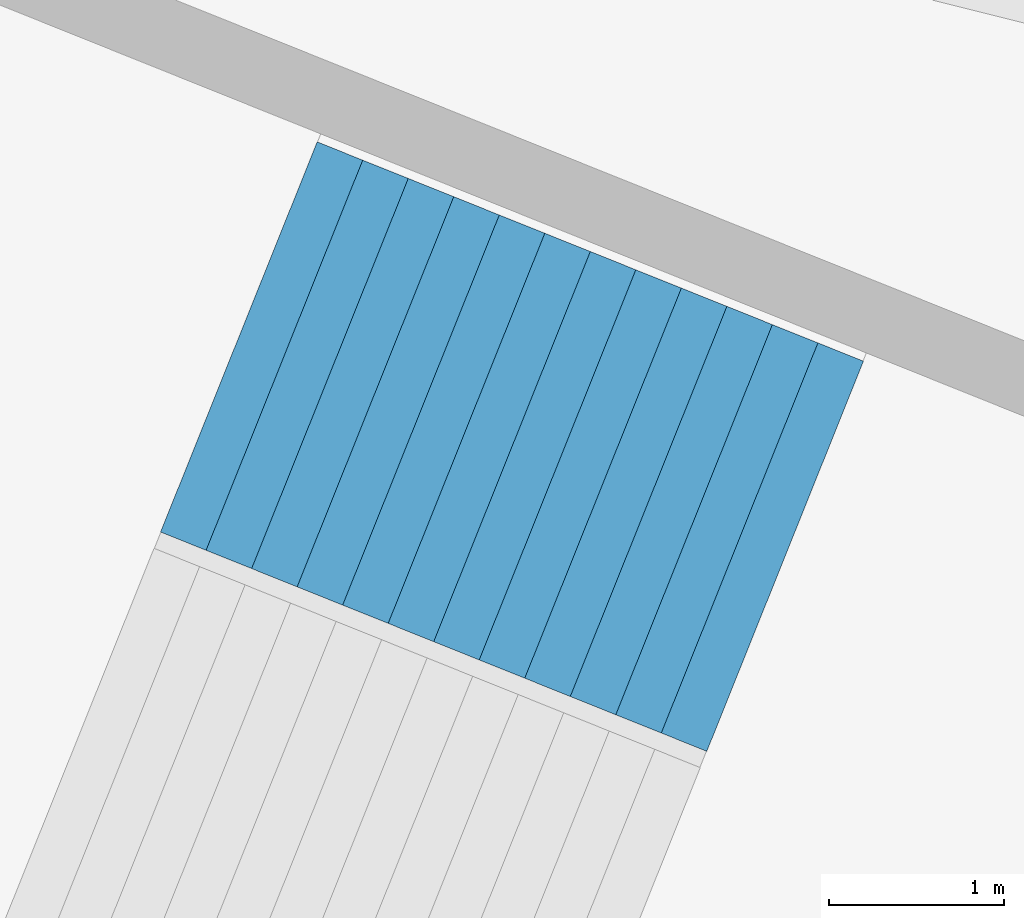
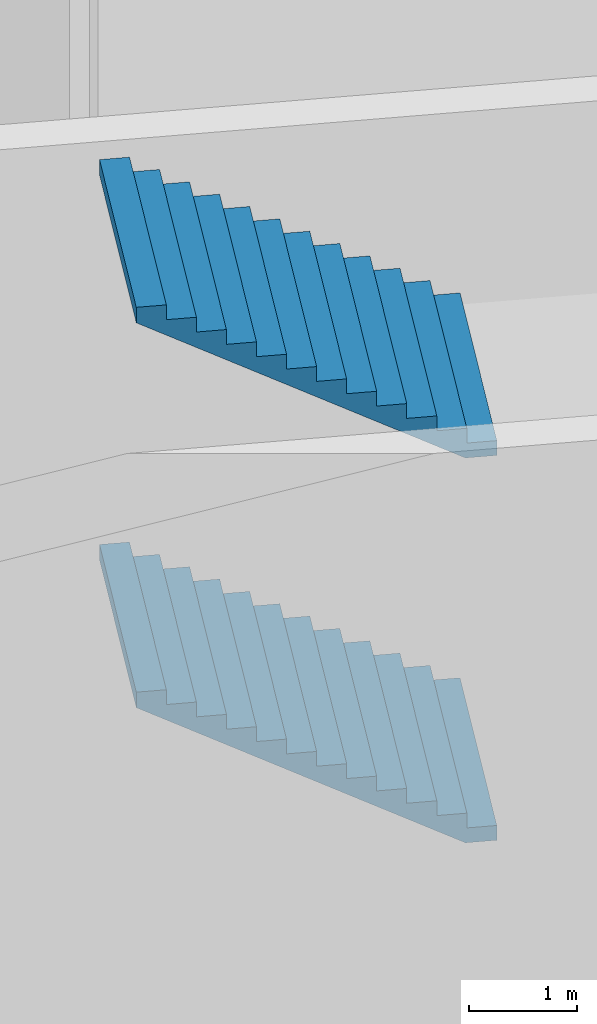
# One storey, part 37 of 47: 2 stair flights, 1 element without a shape of its own.
"""IFC4 building model written with IfcOpenShell, lengths in metres."""

from ifc_helpers import new_model, si_unit, direction, frame, origin, place, context, subcontext, project, spatial, triangles, material, type_object, element, aggregate, save


model = new_model("IFC4")

# Units and contexts
model_context = context("Model", 3, precision=1e-05, world=origin(), true_north=direction((0.0, 1.0)))
body_context = subcontext(model_context, "Body", "Model", "MODEL_VIEW")
ifc_project = project(units=[si_unit("LENGTHUNIT", "METRE"), si_unit("AREAUNIT", "SQUARE_METRE"), si_unit("VOLUMEUNIT", "CUBIC_METRE"), si_unit("PLANEANGLEUNIT", "RADIAN"), si_unit("MASSUNIT", "GRAM", prefix="KILO")], contexts=[model_context])

# Site, building, storey
site_placement = place(None, origin())
site = spatial("IfcSite", under=ifc_project, at=site_placement, CompositionType="ELEMENT")
building_placement = place(site_placement, origin())
building = spatial("IfcBuilding", under=site, at=building_placement, Name="Lantaw Convention Tower", CompositionType="ELEMENT")
storey_placement = place(building_placement, origin())
storey = spatial("IfcBuildingStorey", under=building, at=storey_placement, Name="L00", CompositionType="ELEMENT", Elevation=0.0)

# Stair, stair flights
ifc_material = material(Name="Concrete C35/45", Category="concrete")
stair_type = type_object("IfcStairType", Name="Exit stair 2400 riser 166.67 in 3 flights", PredefinedType="HALF_TURN_STAIR", material=ifc_material)
stair_placement = place(storey_placement, origin())
stair = element("IfcStair", 1, at=stair_placement, inside=storey, type_object=stair_type, Name="Podium exit stair P12 L00", PredefinedType="HALF_TURN_STAIR")
stair_flight_type = type_object("IfcStairFlightType", Name="Stair flight 2400 riser 166.67", PredefinedType="STRAIGHT", material=ifc_material)
stair_flight_1_placement = place(storey_placement, frame((33.135986328125, -11.955078125, 0.0), z_axis=(0.0, 0.0, 1.0), x_axis=(-0.928015818512, 0.372540790506, 0.0)))
stair_flight_1 = element("IfcStairFlight", 2, at=stair_flight_1_placement, type_object=stair_flight_type, Name="P12 flight 1", NumberOfRisers=13, NumberOfTreads=12, PredefinedType="STRAIGHT", RiserHeight=0.166666667, TreadLength=0.28, context=body_context, shape_type="Tessellation", body=[
    triangles([(0.0, 1.199951171875, 0.0), (0.0, 1.199951171875, 0.166666667), (0.28, 1.199951171875, 0.0), (0.28, 1.199951171875, 0.166666667), (0.28, 1.199951171875, 0.333333334), (0.29307345806906815, 1.199951171875, 0.0), (0.29307345806906815, 1.199951171875, 0.333333334), (0.56, 1.199951171875, 0.15888484670522912), (0.56, 1.199951171875, 0.333333334), (0.56, 1.199951171875, 0.500000001), (0.8400000000000001, 1.199951171875, 0.3255515137052291), (0.8400000000000001, 1.199951171875, 0.500000001), (0.8400000000000001, 1.199951171875, 0.666666668), (1.12, 1.199951171875, 0.49221818070522905), (1.12, 1.199951171875, 0.666666668), (1.12, 1.199951171875, 0.833333335), (1.4000000000000001, 1.199951171875, 0.658884847705229), (1.4000000000000001, 1.199951171875, 0.833333335), (1.4000000000000001, 1.199951171875, 1.000000002), (1.6800000000000002, 1.199951171875, 0.825551514705229), (1.6800000000000002, 1.199951171875, 1.000000002), (1.6800000000000002, 1.199951171875, 1.166666669), (1.9600000000000002, 1.199951171875, 0.992218181705229), (1.9600000000000002, 1.199951171875, 1.166666669), (1.9600000000000002, 1.199951171875, 1.333333336), (2.24, 1.199951171875, 1.158884848705229), (2.24, 1.199951171875, 1.333333336), (2.24, 1.199951171875, 1.5000000029999998), (2.5200000000000005, 1.199951171875, 1.325551515705229), (2.5200000000000005, 1.199951171875, 1.5000000029999998), (2.5200000000000005, 1.199951171875, 1.66666667), (2.8000000000000003, 1.199951171875, 1.492218182705229), (2.8000000000000003, 1.199951171875, 1.66666667), (2.8000000000000003, 1.199951171875, 1.833333337), (3.08, 1.199951171875, 1.6588848497052289), (3.08, 1.199951171875, 1.833333337), (3.08, 1.199951171875, 2.000000004), (3.3600000000000003, 1.199951171875, 1.825551516705229), (3.3600000000000003, 1.199951171875, 2.000000004), (0.0, -1.199951171875, 0.0), (0.0, -1.199951171875, 0.166666667), (0.28, -1.199951171875, 0.0), (0.28, -1.199951171875, 0.166666667), (0.28, -1.199951171875, 0.333333334), (0.29307345806906815, -1.199951171875, 0.0), (0.29307345806906815, -1.199951171875, 0.333333334), (0.56, -1.199951171875, 0.15888484670522912), (0.56, -1.199951171875, 0.333333334), (0.56, -1.199951171875, 0.500000001), (0.8400000000000001, -1.199951171875, 0.3255515137052291), (0.8400000000000001, -1.199951171875, 0.500000001), (0.8400000000000001, -1.199951171875, 0.666666668), (1.12, -1.199951171875, 0.49221818070522905), (1.12, -1.199951171875, 0.666666668), (1.12, -1.199951171875, 0.833333335), (1.4000000000000001, -1.199951171875, 0.658884847705229), (1.4000000000000001, -1.199951171875, 0.833333335), (1.4000000000000001, -1.199951171875, 1.000000002), (1.6800000000000002, -1.199951171875, 0.825551514705229), (1.6800000000000002, -1.199951171875, 1.000000002), (1.6800000000000002, -1.199951171875, 1.166666669), (1.9600000000000002, -1.199951171875, 0.992218181705229), (1.9600000000000002, -1.199951171875, 1.166666669), (1.9600000000000002, -1.199951171875, 1.333333336), (2.24, -1.199951171875, 1.158884848705229), (2.24, -1.199951171875, 1.333333336), (2.24, -1.199951171875, 1.5000000029999998), (2.5200000000000005, -1.199951171875, 1.325551515705229), (2.5200000000000005, -1.199951171875, 1.5000000029999998), (2.5200000000000005, -1.199951171875, 1.66666667), (2.8000000000000003, -1.199951171875, 1.492218182705229), (2.8000000000000003, -1.199951171875, 1.66666667), (2.8000000000000003, -1.199951171875, 1.833333337), (3.08, -1.199951171875, 1.6588848497052289), (3.08, -1.199951171875, 1.833333337), (3.08, -1.199951171875, 2.000000004), (3.3600000000000003, -1.199951171875, 1.825551516705229), (3.3600000000000003, -1.199951171875, 2.000000004), (0.0, 0.239990234375, 0.166666667), (0.0, 0.239990234375, 0.0), (0.0, 0.0, 0.166666667), (0.0, 0.0, 0.0), (0.0, -0.239990234375, 0.166666667), (0.0, -0.239990234375, 0.0), (0.28, 0.239990234375, 0.333333334), (0.28, 0.239990234375, 0.166666667), (0.28, 0.0, 0.333333334), (0.28, 0.0, 0.166666667), (0.28, -0.239990234375, 0.333333334), (0.28, -0.239990234375, 0.166666667), (0.56, 0.239990234375, 0.500000001), (0.56, 0.239990234375, 0.333333334), (0.56, 0.0, 0.500000001), (0.56, 0.0, 0.333333334), (0.56, -0.239990234375, 0.500000001), (0.56, -0.239990234375, 0.333333334), (0.8400000000000001, 0.239990234375, 0.666666668), (0.8400000000000001, 0.239990234375, 0.500000001), (0.8400000000000001, 0.0, 0.666666668), (0.8400000000000001, 0.0, 0.500000001), (0.8400000000000001, -0.239990234375, 0.666666668), (0.8400000000000001, -0.239990234375, 0.500000001), (1.12, 0.239990234375, 0.833333335), (1.12, 0.239990234375, 0.666666668), (1.12, 0.0, 0.833333335), (1.12, 0.0, 0.666666668), (1.12, -0.239990234375, 0.833333335), (1.12, -0.239990234375, 0.666666668), (1.4000000000000001, 0.239990234375, 1.000000002), (1.4000000000000001, 0.239990234375, 0.833333335), (1.4000000000000001, 0.0, 1.000000002), (1.4000000000000001, 0.0, 0.833333335), (1.4000000000000001, -0.239990234375, 1.000000002), (1.4000000000000001, -0.239990234375, 0.833333335), (1.6800000000000002, 0.239990234375, 1.166666669), (1.6800000000000002, 0.239990234375, 1.000000002), (1.6800000000000002, 0.0, 1.166666669), (1.6800000000000002, 0.0, 1.000000002), (1.6800000000000002, -0.239990234375, 1.166666669), (1.6800000000000002, -0.239990234375, 1.000000002), (1.9600000000000002, 0.239990234375, 1.333333336), (1.9600000000000002, 0.239990234375, 1.166666669), (1.9600000000000002, 0.0, 1.333333336), (1.9600000000000002, 0.0, 1.166666669), (1.9600000000000002, -0.239990234375, 1.333333336), (1.9600000000000002, -0.239990234375, 1.166666669), (2.24, 0.239990234375, 1.5000000029999998), (2.24, 0.239990234375, 1.333333336), (2.24, 0.0, 1.5000000029999998), (2.24, 0.0, 1.333333336), (2.24, -0.239990234375, 1.5000000029999998), (2.24, -0.239990234375, 1.333333336), (2.5200000000000005, 0.239990234375, 1.66666667), (2.5200000000000005, 0.239990234375, 1.5000000029999998), (2.5200000000000005, 0.0, 1.66666667), (2.5200000000000005, 0.0, 1.5000000029999998), (2.5200000000000005, -0.239990234375, 1.66666667), (2.5200000000000005, -0.239990234375, 1.5000000029999998), (2.8000000000000003, 0.239990234375, 1.833333337), (2.8000000000000003, 0.239990234375, 1.66666667), (2.8000000000000003, 0.0, 1.833333337), (2.8000000000000003, 0.0, 1.66666667), (2.8000000000000003, -0.239990234375, 1.833333337), (2.8000000000000003, -0.239990234375, 1.66666667), (3.08, 0.239990234375, 2.000000004), (3.08, 0.239990234375, 1.833333337), (3.08, 0.0, 2.000000004), (3.08, 0.0, 1.833333337), (3.08, -0.239990234375, 2.000000004), (3.08, -0.239990234375, 1.833333337), (0.29307345806906815, 0.239990234375, 0.333333334), (0.29307345806906815, 0.0, 0.333333334), (0.29307345806906815, -0.239990234375, 0.333333334), (3.3600000000000003, 0.239990234375, 2.000000004), (3.3600000000000003, 0.0, 2.000000004), (3.3600000000000003, -0.239990234375, 2.000000004), (3.3600000000000003, 0.239990234375, 1.8255515167052292), (3.3600000000000003, 0.0, 1.8255515167052292), (3.3600000000000003, -0.239990234375, 1.8255515167052292), (3.08, 0.239990234375, 1.6588848497052289), (3.08, 0.0, 1.6588848497052289), (3.08, -0.239990234375, 1.6588848497052289), (2.8000000000000003, 0.239990234375, 1.492218182705229), (2.8000000000000003, 0.0, 1.492218182705229), (2.8000000000000003, -0.239990234375, 1.492218182705229), (2.5200000000000005, 0.239990234375, 1.325551515705229), (2.5200000000000005, 0.0, 1.325551515705229), (2.5200000000000005, -0.239990234375, 1.325551515705229), (2.24, 0.239990234375, 1.158884848705229), (2.24, 0.0, 1.158884848705229), (2.24, -0.239990234375, 1.158884848705229), (1.9600000000000002, 0.239990234375, 0.992218181705229), (1.9600000000000002, 0.0, 0.992218181705229), (1.9600000000000002, -0.239990234375, 0.992218181705229), (1.6800000000000002, 0.239990234375, 0.825551514705229), (1.6800000000000002, 0.0, 0.825551514705229), (1.6800000000000002, -0.239990234375, 0.825551514705229), (1.4000000000000001, 0.239990234375, 0.658884847705229), (1.4000000000000001, 0.0, 0.658884847705229), (1.4000000000000001, -0.239990234375, 0.658884847705229), (1.12, 0.239990234375, 0.49221818070522905), (1.12, 0.0, 0.49221818070522905), (1.12, -0.239990234375, 0.49221818070522905), (0.8400000000000001, 0.239990234375, 0.3255515137052291), (0.8400000000000001, 0.0, 0.3255515137052291), (0.8400000000000001, -0.239990234375, 0.3255515137052291), (0.56, 0.239990234375, 0.15888484670522912), (0.56, 0.0, 0.15888484670522912), (0.56, -0.239990234375, 0.15888484670522912), (0.29307345806906815, 0.239990234375, 0.0), (0.29307345806906815, 0.0, 0.0), (0.29307345806906815, -0.239990234375, 0.0), (0.28, 0.239990234375, 0.0), (0.28, 0.0, 0.0), (0.28, -0.239990234375, 0.0)], [[1, 4, 3], [1, 2, 4], [3, 4, 6], [4, 7, 6], [4, 5, 7], [6, 9, 8], [6, 7, 9], [8, 9, 11], [9, 12, 11], [9, 10, 12], [11, 12, 14], [12, 15, 14], [12, 13, 15], [14, 15, 17], [15, 18, 17], [15, 16, 18], [17, 18, 20], [18, 21, 20], [18, 19, 21], [20, 21, 23], [21, 24, 23], [21, 22, 24], [23, 24, 26], [24, 27, 26], [24, 25, 27], [26, 27, 29], [27, 30, 29], [27, 28, 30], [29, 30, 32], [30, 33, 32], [30, 31, 33], [32, 33, 35], [33, 36, 35], [33, 34, 36], [35, 36, 38], [36, 39, 38], [36, 37, 39], [40, 42, 43], [40, 43, 41], [42, 45, 43], [43, 45, 46], [43, 46, 44], [45, 47, 48], [45, 48, 46], [47, 50, 48], [48, 50, 51], [48, 51, 49], [50, 53, 51], [51, 53, 54], [51, 54, 52], [53, 56, 54], [54, 56, 57], [54, 57, 55], [56, 59, 57], [57, 59, 60], [57, 60, 58], [59, 62, 60], [60, 62, 63], [60, 63, 61], [62, 65, 63], [63, 65, 66], [63, 66, 64], [65, 68, 66], [66, 68, 69], [66, 69, 67], [68, 71, 69], [69, 71, 72], [69, 72, 70], [71, 74, 72], [72, 74, 75], [72, 75, 73], [74, 77, 75], [75, 77, 78], [75, 78, 76], [1, 79, 2], [1, 80, 79], [80, 81, 79], [80, 82, 81], [82, 83, 81], [82, 84, 83], [84, 41, 83], [84, 40, 41], [4, 85, 5], [4, 86, 85], [86, 87, 85], [86, 88, 87], [88, 89, 87], [88, 90, 89], [90, 44, 89], [90, 43, 44], [9, 91, 10], [9, 92, 91], [92, 93, 91], [92, 94, 93], [94, 95, 93], [94, 96, 95], [96, 49, 95], [96, 48, 49], [12, 97, 13], [12, 98, 97], [98, 99, 97], [98, 100, 99], [100, 101, 99], [100, 102, 101], [102, 52, 101], [102, 51, 52], [15, 103, 16], [15, 104, 103], [104, 105, 103], [104, 106, 105], [106, 107, 105], [106, 108, 107], [108, 55, 107], [108, 54, 55], [18, 109, 19], [18, 110, 109], [110, 111, 109], [110, 112, 111], [112, 113, 111], [112, 114, 113], [114, 58, 113], [114, 57, 58], [21, 115, 22], [21, 116, 115], [116, 117, 115], [116, 118, 117], [118, 119, 117], [118, 120, 119], [120, 61, 119], [120, 60, 61], [24, 121, 25], [24, 122, 121], [122, 123, 121], [122, 124, 123], [124, 125, 123], [124, 126, 125], [126, 64, 125], [126, 63, 64], [27, 127, 28], [27, 128, 127], [128, 129, 127], [128, 130, 129], [130, 131, 129], [130, 132, 131], [132, 67, 131], [132, 66, 67], [30, 133, 31], [30, 134, 133], [134, 135, 133], [134, 136, 135], [136, 137, 135], [136, 138, 137], [138, 70, 137], [138, 69, 70], [33, 139, 34], [33, 140, 139], [140, 141, 139], [140, 142, 141], [142, 143, 141], [142, 144, 143], [144, 73, 143], [144, 72, 73], [36, 145, 37], [36, 146, 145], [146, 147, 145], [146, 148, 147], [148, 149, 147], [148, 150, 149], [150, 76, 149], [150, 75, 76], [2, 86, 4], [2, 79, 86], [79, 88, 86], [79, 81, 88], [81, 90, 88], [81, 83, 90], [83, 43, 90], [83, 41, 43], [5, 151, 7], [5, 85, 151], [85, 152, 151], [85, 87, 152], [87, 153, 152], [87, 89, 153], [89, 46, 153], [89, 44, 46], [7, 92, 9], [7, 151, 92], [151, 94, 92], [151, 152, 94], [152, 96, 94], [152, 153, 96], [153, 48, 96], [153, 46, 48], [10, 98, 12], [10, 91, 98], [91, 100, 98], [91, 93, 100], [93, 102, 100], [93, 95, 102], [95, 51, 102], [95, 49, 51], [13, 104, 15], [13, 97, 104], [97, 106, 104], [97, 99, 106], [99, 108, 106], [99, 101, 108], [101, 54, 108], [101, 52, 54], [16, 110, 18], [16, 103, 110], [103, 112, 110], [103, 105, 112], [105, 114, 112], [105, 107, 114], [107, 57, 114], [107, 55, 57], [19, 116, 21], [19, 109, 116], [109, 118, 116], [109, 111, 118], [111, 120, 118], [111, 113, 120], [113, 60, 120], [113, 58, 60], [22, 122, 24], [22, 115, 122], [115, 124, 122], [115, 117, 124], [117, 126, 124], [117, 119, 126], [119, 63, 126], [119, 61, 63], [25, 128, 27], [25, 121, 128], [121, 130, 128], [121, 123, 130], [123, 132, 130], [123, 125, 132], [125, 66, 132], [125, 64, 66], [28, 134, 30], [28, 127, 134], [127, 136, 134], [127, 129, 136], [129, 138, 136], [129, 131, 138], [131, 69, 138], [131, 67, 69], [31, 140, 33], [31, 133, 140], [133, 142, 140], [133, 135, 142], [135, 144, 142], [135, 137, 144], [137, 72, 144], [137, 70, 72], [34, 146, 36], [34, 139, 146], [139, 148, 146], [139, 141, 148], [141, 150, 148], [141, 143, 150], [143, 75, 150], [143, 73, 75], [37, 154, 39], [37, 145, 154], [145, 155, 154], [145, 147, 155], [147, 156, 155], [147, 149, 156], [149, 78, 156], [149, 76, 78], [39, 157, 38], [39, 154, 157], [154, 158, 157], [154, 155, 158], [155, 159, 158], [155, 156, 159], [156, 77, 159], [156, 78, 77], [38, 160, 35], [38, 157, 160], [157, 161, 160], [157, 158, 161], [158, 162, 161], [158, 159, 162], [159, 74, 162], [159, 77, 74], [35, 163, 32], [35, 160, 163], [160, 164, 163], [160, 161, 164], [161, 165, 164], [161, 162, 165], [162, 71, 165], [162, 74, 71], [32, 166, 29], [32, 163, 166], [163, 167, 166], [163, 164, 167], [164, 168, 167], [164, 165, 168], [165, 68, 168], [165, 71, 68], [29, 169, 26], [29, 166, 169], [166, 170, 169], [166, 167, 170], [167, 171, 170], [167, 168, 171], [168, 65, 171], [168, 68, 65], [26, 172, 23], [26, 169, 172], [169, 173, 172], [169, 170, 173], [170, 174, 173], [170, 171, 174], [171, 62, 174], [171, 65, 62], [23, 175, 20], [23, 172, 175], [172, 176, 175], [172, 173, 176], [173, 177, 176], [173, 174, 177], [174, 59, 177], [174, 62, 59], [20, 178, 17], [20, 175, 178], [175, 179, 178], [175, 176, 179], [176, 180, 179], [176, 177, 180], [177, 56, 180], [177, 59, 56], [17, 181, 14], [17, 178, 181], [178, 182, 181], [178, 179, 182], [179, 183, 182], [179, 180, 183], [180, 53, 183], [180, 56, 53], [14, 184, 11], [14, 181, 184], [181, 185, 184], [181, 182, 185], [182, 186, 185], [182, 183, 186], [183, 50, 186], [183, 53, 50], [11, 187, 8], [11, 184, 187], [184, 188, 187], [184, 185, 188], [185, 189, 188], [185, 186, 189], [186, 47, 189], [186, 50, 47], [8, 190, 6], [8, 187, 190], [187, 191, 190], [187, 188, 191], [188, 192, 191], [188, 189, 192], [189, 45, 192], [189, 47, 45], [6, 193, 3], [6, 190, 193], [190, 194, 193], [190, 191, 194], [191, 195, 194], [191, 192, 195], [192, 42, 195], [192, 45, 42], [3, 80, 1], [3, 193, 80], [193, 82, 80], [193, 194, 82], [194, 84, 82], [194, 195, 84], [195, 40, 84], [195, 42, 40]], closed=True),
])
stair_flight_2_placement = place(storey_placement, frame((33.135986328125, -11.955078125, 4.333251953125), z_axis=(0.0, 0.0, 1.0), x_axis=(-0.928015818512, 0.372540790506, 0.0)))
stair_flight_2 = element("IfcStairFlight", 3, at=stair_flight_2_placement, type_object=stair_flight_type, Name="P12 flight 3", NumberOfRisers=13, NumberOfTreads=12, PredefinedType="STRAIGHT", RiserHeight=0.166666667, TreadLength=0.28, context=body_context, shape_type="Tessellation", body=[
    triangles([(0.0, 1.199951171875, 0.0), (0.0, 1.199951171875, 0.166666667), (0.28, 1.199951171875, 0.0), (0.28, 1.199951171875, 0.166666667), (0.28, 1.199951171875, 0.333333334), (0.29307345806906815, 1.199951171875, 0.0), (0.29307345806906815, 1.199951171875, 0.333333334), (0.56, 1.199951171875, 0.15888484670522912), (0.56, 1.199951171875, 0.333333334), (0.56, 1.199951171875, 0.500000001), (0.8400000000000001, 1.199951171875, 0.3255515137052291), (0.8400000000000001, 1.199951171875, 0.500000001), (0.8400000000000001, 1.199951171875, 0.666666668), (1.12, 1.199951171875, 0.49221818070522905), (1.12, 1.199951171875, 0.666666668), (1.12, 1.199951171875, 0.833333335), (1.4000000000000001, 1.199951171875, 0.658884847705229), (1.4000000000000001, 1.199951171875, 0.833333335), (1.4000000000000001, 1.199951171875, 1.000000002), (1.6800000000000002, 1.199951171875, 0.825551514705229), (1.6800000000000002, 1.199951171875, 1.000000002), (1.6800000000000002, 1.199951171875, 1.166666669), (1.9600000000000002, 1.199951171875, 0.992218181705229), (1.9600000000000002, 1.199951171875, 1.166666669), (1.9600000000000002, 1.199951171875, 1.333333336), (2.24, 1.199951171875, 1.158884848705229), (2.24, 1.199951171875, 1.333333336), (2.24, 1.199951171875, 1.5000000029999998), (2.5200000000000005, 1.199951171875, 1.325551515705229), (2.5200000000000005, 1.199951171875, 1.5000000029999998), (2.5200000000000005, 1.199951171875, 1.66666667), (2.8000000000000003, 1.199951171875, 1.492218182705229), (2.8000000000000003, 1.199951171875, 1.66666667), (2.8000000000000003, 1.199951171875, 1.833333337), (3.08, 1.199951171875, 1.6588848497052289), (3.08, 1.199951171875, 1.833333337), (3.08, 1.199951171875, 2.000000004), (3.3600000000000003, 1.199951171875, 1.825551516705229), (3.3600000000000003, 1.199951171875, 2.000000004), (0.0, -1.199951171875, 0.0), (0.0, -1.199951171875, 0.166666667), (0.28, -1.199951171875, 0.0), (0.28, -1.199951171875, 0.166666667), (0.28, -1.199951171875, 0.333333334), (0.29307345806906815, -1.199951171875, 0.0), (0.29307345806906815, -1.199951171875, 0.333333334), (0.56, -1.199951171875, 0.15888484670522912), (0.56, -1.199951171875, 0.333333334), (0.56, -1.199951171875, 0.500000001), (0.8400000000000001, -1.199951171875, 0.3255515137052291), (0.8400000000000001, -1.199951171875, 0.500000001), (0.8400000000000001, -1.199951171875, 0.666666668), (1.12, -1.199951171875, 0.49221818070522905), (1.12, -1.199951171875, 0.666666668), (1.12, -1.199951171875, 0.833333335), (1.4000000000000001, -1.199951171875, 0.658884847705229), (1.4000000000000001, -1.199951171875, 0.833333335), (1.4000000000000001, -1.199951171875, 1.000000002), (1.6800000000000002, -1.199951171875, 0.825551514705229), (1.6800000000000002, -1.199951171875, 1.000000002), (1.6800000000000002, -1.199951171875, 1.166666669), (1.9600000000000002, -1.199951171875, 0.992218181705229), (1.9600000000000002, -1.199951171875, 1.166666669), (1.9600000000000002, -1.199951171875, 1.333333336), (2.24, -1.199951171875, 1.158884848705229), (2.24, -1.199951171875, 1.333333336), (2.24, -1.199951171875, 1.5000000029999998), (2.5200000000000005, -1.199951171875, 1.325551515705229), (2.5200000000000005, -1.199951171875, 1.5000000029999998), (2.5200000000000005, -1.199951171875, 1.66666667), (2.8000000000000003, -1.199951171875, 1.492218182705229), (2.8000000000000003, -1.199951171875, 1.66666667), (2.8000000000000003, -1.199951171875, 1.833333337), (3.08, -1.199951171875, 1.6588848497052289), (3.08, -1.199951171875, 1.833333337), (3.08, -1.199951171875, 2.000000004), (3.3600000000000003, -1.199951171875, 1.825551516705229), (3.3600000000000003, -1.199951171875, 2.000000004), (0.0, 0.239990234375, 0.166666667), (0.0, 0.239990234375, 0.0), (0.0, 0.0, 0.166666667), (0.0, 0.0, 0.0), (0.0, -0.239990234375, 0.166666667), (0.0, -0.239990234375, 0.0), (0.28, 0.239990234375, 0.333333334), (0.28, 0.239990234375, 0.166666667), (0.28, 0.0, 0.333333334), (0.28, 0.0, 0.166666667), (0.28, -0.239990234375, 0.333333334), (0.28, -0.239990234375, 0.166666667), (0.56, 0.239990234375, 0.500000001), (0.56, 0.239990234375, 0.333333334), (0.56, 0.0, 0.500000001), (0.56, 0.0, 0.333333334), (0.56, -0.239990234375, 0.500000001), (0.56, -0.239990234375, 0.333333334), (0.8400000000000001, 0.239990234375, 0.666666668), (0.8400000000000001, 0.239990234375, 0.500000001), (0.8400000000000001, 0.0, 0.666666668), (0.8400000000000001, 0.0, 0.500000001), (0.8400000000000001, -0.239990234375, 0.666666668), (0.8400000000000001, -0.239990234375, 0.500000001), (1.12, 0.239990234375, 0.833333335), (1.12, 0.239990234375, 0.666666668), (1.12, 0.0, 0.833333335), (1.12, 0.0, 0.666666668), (1.12, -0.239990234375, 0.833333335), (1.12, -0.239990234375, 0.666666668), (1.4000000000000001, 0.239990234375, 1.000000002), (1.4000000000000001, 0.239990234375, 0.833333335), (1.4000000000000001, 0.0, 1.000000002), (1.4000000000000001, 0.0, 0.833333335), (1.4000000000000001, -0.239990234375, 1.000000002), (1.4000000000000001, -0.239990234375, 0.833333335), (1.6800000000000002, 0.239990234375, 1.166666669), (1.6800000000000002, 0.239990234375, 1.000000002), (1.6800000000000002, 0.0, 1.166666669), (1.6800000000000002, 0.0, 1.000000002), (1.6800000000000002, -0.239990234375, 1.166666669), (1.6800000000000002, -0.239990234375, 1.000000002), (1.9600000000000002, 0.239990234375, 1.333333336), (1.9600000000000002, 0.239990234375, 1.166666669), (1.9600000000000002, 0.0, 1.333333336), (1.9600000000000002, 0.0, 1.166666669), (1.9600000000000002, -0.239990234375, 1.333333336), (1.9600000000000002, -0.239990234375, 1.166666669), (2.24, 0.239990234375, 1.5000000029999998), (2.24, 0.239990234375, 1.333333336), (2.24, 0.0, 1.5000000029999998), (2.24, 0.0, 1.333333336), (2.24, -0.239990234375, 1.5000000029999998), (2.24, -0.239990234375, 1.333333336), (2.5200000000000005, 0.239990234375, 1.66666667), (2.5200000000000005, 0.239990234375, 1.5000000029999998), (2.5200000000000005, 0.0, 1.66666667), (2.5200000000000005, 0.0, 1.5000000029999998), (2.5200000000000005, -0.239990234375, 1.66666667), (2.5200000000000005, -0.239990234375, 1.5000000029999998), (2.8000000000000003, 0.239990234375, 1.833333337), (2.8000000000000003, 0.239990234375, 1.66666667), (2.8000000000000003, 0.0, 1.833333337), (2.8000000000000003, 0.0, 1.66666667), (2.8000000000000003, -0.239990234375, 1.833333337), (2.8000000000000003, -0.239990234375, 1.66666667), (3.08, 0.239990234375, 2.000000004), (3.08, 0.239990234375, 1.833333337), (3.08, 0.0, 2.000000004), (3.08, 0.0, 1.833333337), (3.08, -0.239990234375, 2.000000004), (3.08, -0.239990234375, 1.833333337), (0.29307345806906815, 0.239990234375, 0.333333334), (0.29307345806906815, 0.0, 0.333333334), (0.29307345806906815, -0.239990234375, 0.333333334), (3.3600000000000003, 0.239990234375, 2.000000004), (3.3600000000000003, 0.0, 2.000000004), (3.3600000000000003, -0.239990234375, 2.000000004), (3.3600000000000003, 0.239990234375, 1.8255515167052292), (3.3600000000000003, 0.0, 1.8255515167052292), (3.3600000000000003, -0.239990234375, 1.8255515167052292), (3.08, 0.239990234375, 1.6588848497052289), (3.08, 0.0, 1.6588848497052289), (3.08, -0.239990234375, 1.6588848497052289), (2.8000000000000003, 0.239990234375, 1.492218182705229), (2.8000000000000003, 0.0, 1.492218182705229), (2.8000000000000003, -0.239990234375, 1.492218182705229), (2.5200000000000005, 0.239990234375, 1.325551515705229), (2.5200000000000005, 0.0, 1.325551515705229), (2.5200000000000005, -0.239990234375, 1.325551515705229), (2.24, 0.239990234375, 1.158884848705229), (2.24, 0.0, 1.158884848705229), (2.24, -0.239990234375, 1.158884848705229), (1.9600000000000002, 0.239990234375, 0.992218181705229), (1.9600000000000002, 0.0, 0.992218181705229), (1.9600000000000002, -0.239990234375, 0.992218181705229), (1.6800000000000002, 0.239990234375, 0.825551514705229), (1.6800000000000002, 0.0, 0.825551514705229), (1.6800000000000002, -0.239990234375, 0.825551514705229), (1.4000000000000001, 0.239990234375, 0.658884847705229), (1.4000000000000001, 0.0, 0.658884847705229), (1.4000000000000001, -0.239990234375, 0.658884847705229), (1.12, 0.239990234375, 0.49221818070522905), (1.12, 0.0, 0.49221818070522905), (1.12, -0.239990234375, 0.49221818070522905), (0.8400000000000001, 0.239990234375, 0.3255515137052291), (0.8400000000000001, 0.0, 0.3255515137052291), (0.8400000000000001, -0.239990234375, 0.3255515137052291), (0.56, 0.239990234375, 0.15888484670522912), (0.56, 0.0, 0.15888484670522912), (0.56, -0.239990234375, 0.15888484670522912), (0.29307345806906815, 0.239990234375, 0.0), (0.29307345806906815, 0.0, 0.0), (0.29307345806906815, -0.239990234375, 0.0), (0.28, 0.239990234375, 0.0), (0.28, 0.0, 0.0), (0.28, -0.239990234375, 0.0)], [[1, 4, 3], [1, 2, 4], [3, 4, 6], [4, 7, 6], [4, 5, 7], [6, 9, 8], [6, 7, 9], [8, 9, 11], [9, 12, 11], [9, 10, 12], [11, 12, 14], [12, 15, 14], [12, 13, 15], [14, 15, 17], [15, 18, 17], [15, 16, 18], [17, 18, 20], [18, 21, 20], [18, 19, 21], [20, 21, 23], [21, 24, 23], [21, 22, 24], [23, 24, 26], [24, 27, 26], [24, 25, 27], [26, 27, 29], [27, 30, 29], [27, 28, 30], [29, 30, 32], [30, 33, 32], [30, 31, 33], [32, 33, 35], [33, 36, 35], [33, 34, 36], [35, 36, 38], [36, 39, 38], [36, 37, 39], [40, 42, 43], [40, 43, 41], [42, 45, 43], [43, 45, 46], [43, 46, 44], [45, 47, 48], [45, 48, 46], [47, 50, 48], [48, 50, 51], [48, 51, 49], [50, 53, 51], [51, 53, 54], [51, 54, 52], [53, 56, 54], [54, 56, 57], [54, 57, 55], [56, 59, 57], [57, 59, 60], [57, 60, 58], [59, 62, 60], [60, 62, 63], [60, 63, 61], [62, 65, 63], [63, 65, 66], [63, 66, 64], [65, 68, 66], [66, 68, 69], [66, 69, 67], [68, 71, 69], [69, 71, 72], [69, 72, 70], [71, 74, 72], [72, 74, 75], [72, 75, 73], [74, 77, 75], [75, 77, 78], [75, 78, 76], [1, 79, 2], [1, 80, 79], [80, 81, 79], [80, 82, 81], [82, 83, 81], [82, 84, 83], [84, 41, 83], [84, 40, 41], [4, 85, 5], [4, 86, 85], [86, 87, 85], [86, 88, 87], [88, 89, 87], [88, 90, 89], [90, 44, 89], [90, 43, 44], [9, 91, 10], [9, 92, 91], [92, 93, 91], [92, 94, 93], [94, 95, 93], [94, 96, 95], [96, 49, 95], [96, 48, 49], [12, 97, 13], [12, 98, 97], [98, 99, 97], [98, 100, 99], [100, 101, 99], [100, 102, 101], [102, 52, 101], [102, 51, 52], [15, 103, 16], [15, 104, 103], [104, 105, 103], [104, 106, 105], [106, 107, 105], [106, 108, 107], [108, 55, 107], [108, 54, 55], [18, 109, 19], [18, 110, 109], [110, 111, 109], [110, 112, 111], [112, 113, 111], [112, 114, 113], [114, 58, 113], [114, 57, 58], [21, 115, 22], [21, 116, 115], [116, 117, 115], [116, 118, 117], [118, 119, 117], [118, 120, 119], [120, 61, 119], [120, 60, 61], [24, 121, 25], [24, 122, 121], [122, 123, 121], [122, 124, 123], [124, 125, 123], [124, 126, 125], [126, 64, 125], [126, 63, 64], [27, 127, 28], [27, 128, 127], [128, 129, 127], [128, 130, 129], [130, 131, 129], [130, 132, 131], [132, 67, 131], [132, 66, 67], [30, 133, 31], [30, 134, 133], [134, 135, 133], [134, 136, 135], [136, 137, 135], [136, 138, 137], [138, 70, 137], [138, 69, 70], [33, 139, 34], [33, 140, 139], [140, 141, 139], [140, 142, 141], [142, 143, 141], [142, 144, 143], [144, 73, 143], [144, 72, 73], [36, 145, 37], [36, 146, 145], [146, 147, 145], [146, 148, 147], [148, 149, 147], [148, 150, 149], [150, 76, 149], [150, 75, 76], [2, 86, 4], [2, 79, 86], [79, 88, 86], [79, 81, 88], [81, 90, 88], [81, 83, 90], [83, 43, 90], [83, 41, 43], [5, 151, 7], [5, 85, 151], [85, 152, 151], [85, 87, 152], [87, 153, 152], [87, 89, 153], [89, 46, 153], [89, 44, 46], [7, 92, 9], [7, 151, 92], [151, 94, 92], [151, 152, 94], [152, 96, 94], [152, 153, 96], [153, 48, 96], [153, 46, 48], [10, 98, 12], [10, 91, 98], [91, 100, 98], [91, 93, 100], [93, 102, 100], [93, 95, 102], [95, 51, 102], [95, 49, 51], [13, 104, 15], [13, 97, 104], [97, 106, 104], [97, 99, 106], [99, 108, 106], [99, 101, 108], [101, 54, 108], [101, 52, 54], [16, 110, 18], [16, 103, 110], [103, 112, 110], [103, 105, 112], [105, 114, 112], [105, 107, 114], [107, 57, 114], [107, 55, 57], [19, 116, 21], [19, 109, 116], [109, 118, 116], [109, 111, 118], [111, 120, 118], [111, 113, 120], [113, 60, 120], [113, 58, 60], [22, 122, 24], [22, 115, 122], [115, 124, 122], [115, 117, 124], [117, 126, 124], [117, 119, 126], [119, 63, 126], [119, 61, 63], [25, 128, 27], [25, 121, 128], [121, 130, 128], [121, 123, 130], [123, 132, 130], [123, 125, 132], [125, 66, 132], [125, 64, 66], [28, 134, 30], [28, 127, 134], [127, 136, 134], [127, 129, 136], [129, 138, 136], [129, 131, 138], [131, 69, 138], [131, 67, 69], [31, 140, 33], [31, 133, 140], [133, 142, 140], [133, 135, 142], [135, 144, 142], [135, 137, 144], [137, 72, 144], [137, 70, 72], [34, 146, 36], [34, 139, 146], [139, 148, 146], [139, 141, 148], [141, 150, 148], [141, 143, 150], [143, 75, 150], [143, 73, 75], [37, 154, 39], [37, 145, 154], [145, 155, 154], [145, 147, 155], [147, 156, 155], [147, 149, 156], [149, 78, 156], [149, 76, 78], [39, 157, 38], [39, 154, 157], [154, 158, 157], [154, 155, 158], [155, 159, 158], [155, 156, 159], [156, 77, 159], [156, 78, 77], [38, 160, 35], [38, 157, 160], [157, 161, 160], [157, 158, 161], [158, 162, 161], [158, 159, 162], [159, 74, 162], [159, 77, 74], [35, 163, 32], [35, 160, 163], [160, 164, 163], [160, 161, 164], [161, 165, 164], [161, 162, 165], [162, 71, 165], [162, 74, 71], [32, 166, 29], [32, 163, 166], [163, 167, 166], [163, 164, 167], [164, 168, 167], [164, 165, 168], [165, 68, 168], [165, 71, 68], [29, 169, 26], [29, 166, 169], [166, 170, 169], [166, 167, 170], [167, 171, 170], [167, 168, 171], [168, 65, 171], [168, 68, 65], [26, 172, 23], [26, 169, 172], [169, 173, 172], [169, 170, 173], [170, 174, 173], [170, 171, 174], [171, 62, 174], [171, 65, 62], [23, 175, 20], [23, 172, 175], [172, 176, 175], [172, 173, 176], [173, 177, 176], [173, 174, 177], [174, 59, 177], [174, 62, 59], [20, 178, 17], [20, 175, 178], [175, 179, 178], [175, 176, 179], [176, 180, 179], [176, 177, 180], [177, 56, 180], [177, 59, 56], [17, 181, 14], [17, 178, 181], [178, 182, 181], [178, 179, 182], [179, 183, 182], [179, 180, 183], [180, 53, 183], [180, 56, 53], [14, 184, 11], [14, 181, 184], [181, 185, 184], [181, 182, 185], [182, 186, 185], [182, 183, 186], [183, 50, 186], [183, 53, 50], [11, 187, 8], [11, 184, 187], [184, 188, 187], [184, 185, 188], [185, 189, 188], [185, 186, 189], [186, 47, 189], [186, 50, 47], [8, 190, 6], [8, 187, 190], [187, 191, 190], [187, 188, 191], [188, 192, 191], [188, 189, 192], [189, 45, 192], [189, 47, 45], [6, 193, 3], [6, 190, 193], [190, 194, 193], [190, 191, 194], [191, 195, 194], [191, 192, 195], [192, 42, 195], [192, 45, 42], [3, 80, 1], [3, 193, 80], [193, 82, 80], [193, 194, 82], [194, 84, 82], [194, 195, 84], [195, 40, 84], [195, 42, 40]], closed=True),
])
aggregate(stair, [stair_flight_1, stair_flight_2])

save(model, "model.ifc")
